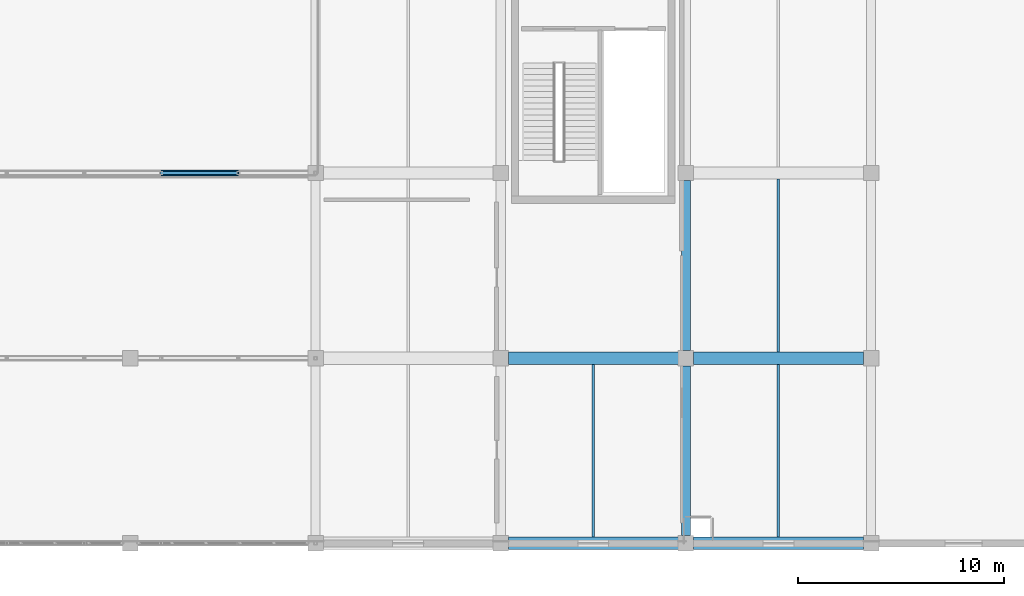
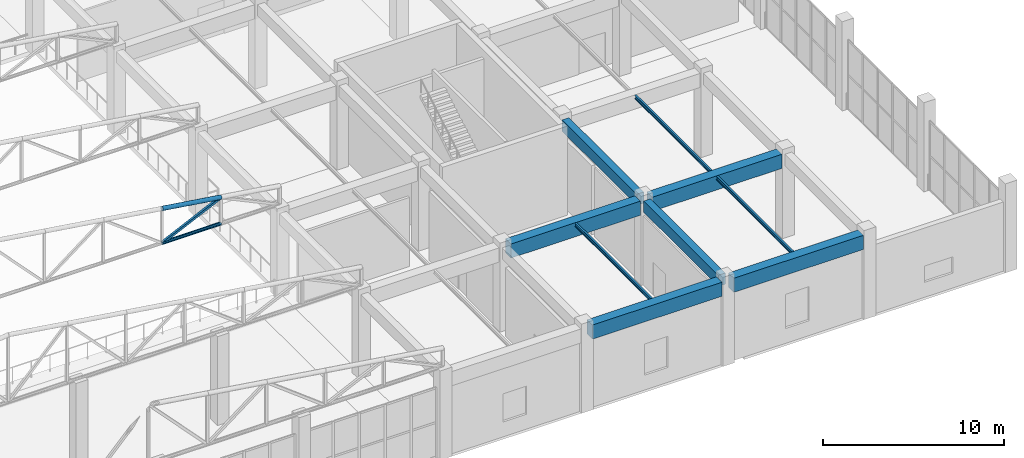
# One storey, part 65 of 223: 9 beams, 3 members.
"""IFC4 building model written with IfcOpenShell, lengths in metres."""

from ifc_helpers import new_model, si_unit, direction, frame, origin, origin_2d, place, context, subcontext, project, spatial, rectangle, hollow_rectangle, hollow_circle, i_section, extrude, material, material_profile, profile_set, type_object, element, save


model = new_model("IFC4")

# Units and contexts
model_context = context("Model", 3, precision=1e-05, world=origin(), true_north=direction((0.0, 1.0)))
body_context = subcontext(model_context, "Body", "Model", "MODEL_VIEW")
ifc_project = project(units=[si_unit("LENGTHUNIT", "METRE"), si_unit("AREAUNIT", "SQUARE_METRE"), si_unit("VOLUMEUNIT", "CUBIC_METRE"), si_unit("PLANEANGLEUNIT", "RADIAN"), si_unit("MASSUNIT", "GRAM", prefix="KILO")], contexts=[model_context])

# Site, building, storey
site_placement = place(None, origin())
site = spatial("IfcSite", under=ifc_project, at=site_placement, CompositionType="ELEMENT")
building_placement = place(site_placement, origin())
building = spatial("IfcBuilding", under=site, at=building_placement, Name="Dornveld Trade and Exhibition Forum", CompositionType="ELEMENT")
storey_placement = place(building_placement, frame((0.0, 0.0, 6.0)))
storey = spatial("IfcBuildingStorey", under=building, at=storey_placement, Name="L01", CompositionType="ELEMENT", Elevation=6.0)

# Beams
ifc_material_1 = material(Name="Steel S355J2", Category="steel")
ifc_material_profile_1 = material_profile(ifc_material_1, i_section(OverallWidth=0.1201171875, OverallDepth=0.239990234375, WebThickness=0.006103515625, FlangeThickness=0.009765625, FilletRadius=0.014892578125, at=origin_2d()), Name="IPE 240")
ifc_profile_set_1 = profile_set([ifc_material_profile_1], Name="Steel S355J2")
beam_type_1 = type_object("IfcBeamType", Name="BM-JOIST-240", PredefinedType="JOIST", material=ifc_profile_set_1)
for number, where, z_axis, x_axis, name in (
    (1, (211.5, 0.297119140625, 5.52001953125), (0.0, 1.0, 0.0), (-1.0, 0.0, 0.0), "L01 secondary joist 1325"),
    (2, (220.5, 0.297119140625, 5.52001953125), (0.0, 1.0, 0.0), (-1.0, 0.0, 0.0), "L01 secondary joist 1328"),
    (3, (220.5, 9.297119140625, 5.52001953125), (0.0, 1.0, 0.0), (-1.0, 0.0, 0.0), "L01 secondary joist 1329"),
):
    element("IfcBeam", number, at=place(storey_placement, frame(where, z_axis=z_axis, x_axis=x_axis)), inside=storey, type_object=beam_type_1, Name=name, PredefinedType="JOIST", context=body_context, shape_type="SweptSolid", body=[
        extrude(i_section(OverallWidth=0.1201171875, OverallDepth=0.239990234375, WebThickness=0.006103515625, FlangeThickness=0.009765625, FilletRadius=0.014892578125, at=origin_2d()), origin(), (0.0, 0.0, 1.0), 8.40576171875),
    ])
ifc_material_2 = material(Name="Precast concrete C50/60", Category="concrete")
ifc_material_profile_2 = material_profile(ifc_material_2, rectangle(XDim=0.449951171875, YDim=0.75, at=origin_2d()), Name="PC-BM 450x750")
ifc_profile_set_2 = profile_set([ifc_material_profile_2], Name="Precast concrete C50/60")
beam_type_2 = type_object("IfcBeamType", Name="BM-PC-450x750", PredefinedType="BEAM", material=ifc_profile_set_2)
for number, where, z_axis, x_axis, name in (
    (4, (216.0, 0.37109375, 5.264892578125), (0.0, 1.0, 0.0), (-1.0, 0.0, 0.0), "L01 Y-girder 1307"),
    (5, (216.0, 9.37109375, 5.264892578125), (0.0, 1.0, 0.0), (-1.0, 0.0, 0.0), "L01 Y-girder 1308"),
):
    element("IfcBeam", number, at=place(storey_placement, frame(where, z_axis=z_axis, x_axis=x_axis)), inside=storey, type_object=beam_type_2, Name=name, PredefinedType="BEAM", context=body_context, shape_type="SweptSolid", body=[
        extrude(rectangle(XDim=0.449951171875, YDim=0.75, at=origin_2d()), origin(), (0.0, 0.0, 1.0), 8.2578125),
    ])
ifc_material_3 = material(Name="Precast concrete C50/60", Category="concrete")
ifc_material_profile_3 = material_profile(ifc_material_3, rectangle(XDim=0.60009765625, YDim=0.949951171875, at=origin_2d()), Name="PC-GIR 600x950")
ifc_profile_set_3 = profile_set([ifc_material_profile_3], Name="Precast concrete C50/60")
beam_type_3 = type_object("IfcBeamType", Name="BM-PC-600x950", PredefinedType="T_BEAM", material=ifc_profile_set_3)
for number, where, z_axis, x_axis, name in (
    (6, (207.37109375, 0.0, 5.1650390625), (1.0, 0.0, 0.0), (0.0, 1.0, 0.0), "L01 X-girder 1277"),
    (7, (216.37109375, 0.0, 5.1650390625), (1.0, 0.0, 0.0), (0.0, 1.0, 0.0), "L01 X-girder 1278"),
    (8, (207.37109375, 9.0, 5.1650390625), (1.0, 0.0, 0.0), (0.0, 1.0, 0.0), "L01 X-girder 1280"),
    (9, (216.37109375, 9.0, 5.1650390625), (1.0, 0.0, 0.0), (0.0, 1.0, 0.0), "L01 X-girder 1281"),
):
    element("IfcBeam", number, at=place(storey_placement, frame(where, z_axis=z_axis, x_axis=x_axis)), inside=storey, type_object=beam_type_3, Name=name, PredefinedType="T_BEAM", context=body_context, shape_type="SweptSolid", body=[
        extrude(rectangle(XDim=0.60009765625, YDim=0.949951171875, at=origin_2d()), origin(), (0.0, 0.0, 1.0), 8.2578125),
    ])

# Members
ifc_material_4 = material(Name="Steel S355J2", Category="steel")
ifc_material_profile_4 = material_profile(ifc_material_4, hollow_circle(Radius=0.109619140625, WallThickness=0.010009765625, at=origin_2d()), Name="CHS 219.1x10")
ifc_profile_set_4 = profile_set([ifc_material_profile_4], Name="Steel S355J2")
member_type_1 = type_object("IfcMemberType", Name="MEM-CONG-BC", PredefinedType="CHORD", material=ifc_profile_set_4)
member_1_placement = place(storey_placement, frame((190.5, 18.0, 5.97998046875), z_axis=(1.0, 0.0, 0.0), x_axis=(0.0, 1.0, 0.0)))
element("IfcMember", 10, at=member_1_placement, inside=storey, type_object=member_type_1, Name="Congress roof truss 3 bottom chord 11", PredefinedType="CHORD", context=body_context, shape_type="SweptSolid", body=[
    extrude(hollow_circle(Radius=0.109619140625, WallThickness=0.010009765625, at=origin_2d()), origin(), (0.0, 0.0, 1.0), 3.75),
])
ifc_material_5 = material(Name="Steel S355J2", Category="steel")
ifc_material_profile_5 = material_profile(ifc_material_5, hollow_circle(Radius=0.136474609375, WallThickness=0.012451171875, at=origin_2d()), Name="CHS 273x12.5")
ifc_profile_set_5 = profile_set([ifc_material_profile_5], Name="Steel S355J2")
member_type_2 = type_object("IfcMemberType", Name="MEM-CONG-TC", PredefinedType="CHORD", material=ifc_profile_set_5)
member_2_placement = place(storey_placement, frame((190.5, 18.0, 8.300048828125), z_axis=(0.989413064489, 0.0, -0.145126799108), x_axis=(0.0, 1.0, 0.0)))
element("IfcMember", 11, at=member_2_placement, inside=storey, type_object=member_type_2, Name="Congress roof truss 3 top chord 11", PredefinedType="CHORD", context=body_context, shape_type="SweptSolid", body=[
    extrude(hollow_circle(Radius=0.136474609375, WallThickness=0.012451171875, at=origin_2d()), origin(), (0.0, 0.0, 1.0), 3.7900390625),
])
ifc_material_6 = material(Name="Steel S355J2", Category="steel")
ifc_material_profile_6 = material_profile(ifc_material_6, hollow_rectangle(XDim=0.14990234375, YDim=0.14990234375, WallThickness=0.008056640625, at=origin_2d()), Name="SHS 150x150x8")
ifc_profile_set_6 = profile_set([ifc_material_profile_6], Name="Steel S355J2")
member_type_3 = type_object("IfcMemberType", Name="MEM-CONG-WEB", PredefinedType="BRACE", material=ifc_profile_set_6)
member_3_placement = place(storey_placement, frame((190.5, 18.0, 5.97998046875), z_axis=(0.904324408902, 0.0, 0.426845831025), x_axis=(0.0, 1.0, 0.0)))
element("IfcMember", 12, at=member_3_placement, inside=storey, type_object=member_type_3, Name="Congress roof truss 3 web 11", PredefinedType="BRACE", context=body_context, shape_type="SweptSolid", body=[
    extrude(hollow_rectangle(XDim=0.14990234375, YDim=0.14990234375, WallThickness=0.008056640625, at=origin_2d()), origin(), (0.0, 0.0, 1.0), 4.146728515625),
])

save(model, "model.ifc")
